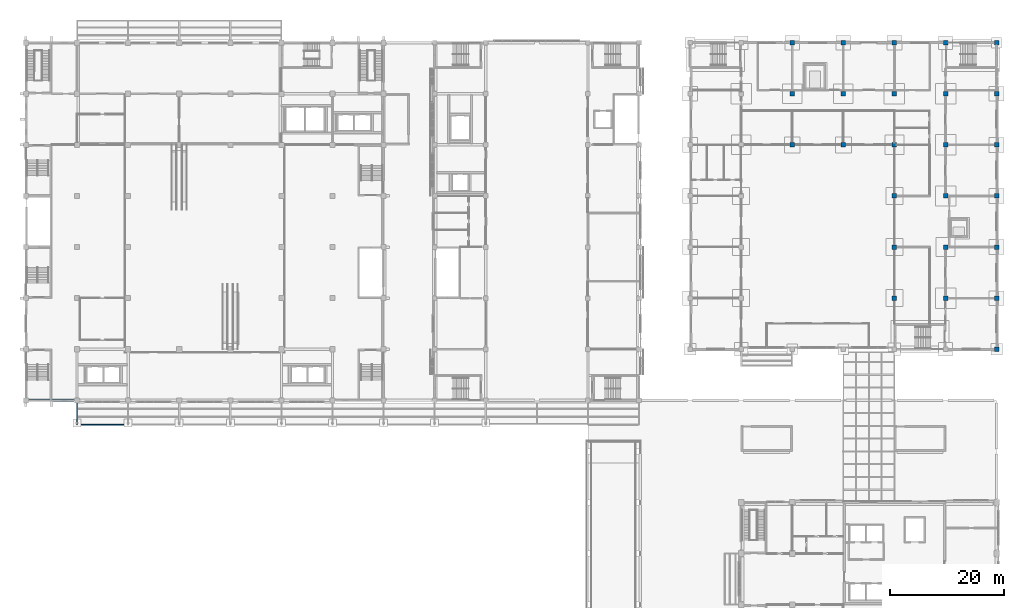
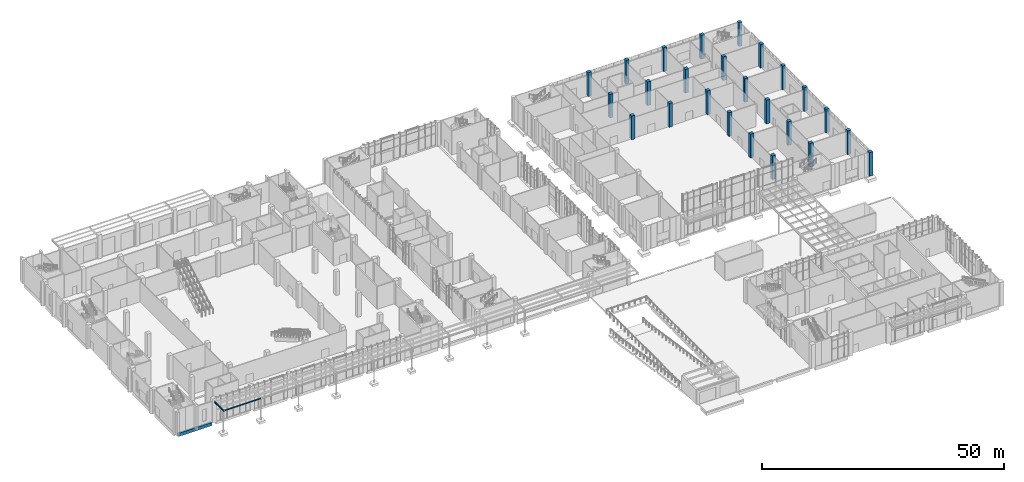
# One storey, part 8 of 86: 25 columns, 3 beams.
"""IFC4 building model written with IfcOpenShell, lengths in metres."""

from ifc_helpers import new_model, si_unit, direction, frame, origin, origin_2d, place, context, subcontext, project, spatial, rectangle, i_section, extrude, material, material_profile, profile_set, type_object, element, save


model = new_model("IFC4")

# Units and contexts
model_context = context("Model", 3, precision=1e-05, world=origin(), true_north=direction((0.0, 1.0)))
body_context = subcontext(model_context, "Body", "Model", "MODEL_VIEW")
ifc_project = project(units=[si_unit("LENGTHUNIT", "METRE"), si_unit("AREAUNIT", "SQUARE_METRE"), si_unit("VOLUMEUNIT", "CUBIC_METRE"), si_unit("PLANEANGLEUNIT", "RADIAN"), si_unit("MASSUNIT", "GRAM", prefix="KILO")], contexts=[model_context])

# Site, building, storey
site_placement = place(None, origin())
site = spatial("IfcSite", under=ifc_project, at=site_placement, CompositionType="ELEMENT")
building_placement = place(site_placement, origin())
building = spatial("IfcBuilding", under=site, at=building_placement, Name="Guidao Yard Department Store", CompositionType="ELEMENT")
storey_placement = place(building_placement, origin())
storey = spatial("IfcBuildingStorey", under=building, at=storey_placement, Name="L00", CompositionType="ELEMENT", Elevation=0.0)

# Columns
ifc_material_1 = material(Name="Concrete C40", Category="concrete")
ifc_material_profile_1 = material_profile(ifc_material_1, rectangle(XDim=0.800048828125, YDim=0.800048828125, at=origin_2d()), Name="COL 800x800")
ifc_profile_set_1 = profile_set([ifc_material_profile_1], Name="Concrete C40")
column_type = type_object("IfcColumnType", Name="Column 800x800 C40", PredefinedType="COLUMN", material=ifc_profile_set_1)
for number, where, z_axis, x_axis, name in (
    (1, (171.0, 54.0, 0.0), (0.0, 0.0, 1.0), (1.0, 0.0, 0.0), "Column 20/G L00"),
    (2, (153.0, 63.0, 0.0), (0.0, 0.0, 1.0), (1.0, 0.0, 0.0), "Column 18/H L00"),
    (3, (162.0, 63.0, 0.0), (0.0, 0.0, 1.0), (1.0, 0.0, 0.0), "Column 19/H L00"),
    (4, (171.0, 63.0, 0.0), (0.0, 0.0, 1.0), (1.0, 0.0, 0.0), "Column 20/H L00"),
    (5, (153.0, 72.0, 0.0), (0.0, 0.0, 1.0), (1.0, 0.0, 0.0), "Column 18/J L00"),
    (6, (162.0, 72.0, 0.0), (0.0, 0.0, 1.0), (1.0, 0.0, 0.0), "Column 19/J L00"),
    (7, (171.0, 72.0, 0.0), (0.0, 0.0, 1.0), (1.0, 0.0, 0.0), "Column 20/J L00"),
    (8, (153.0, 81.0, 0.0), (0.0, 0.0, 1.0), (1.0, 0.0, 0.0), "Column 18/K L00"),
    (9, (162.0, 81.0, 0.0), (0.0, 0.0, 1.0), (1.0, 0.0, 0.0), "Column 19/K L00"),
    (10, (171.0, 81.0, 0.0), (0.0, 0.0, 1.0), (1.0, 0.0, 0.0), "Column 20/K L00"),
    (11, (135.0, 90.0, 0.0), (0.0, 0.0, 1.0), (1.0, 0.0, 0.0), "Column 16/L L00"),
    (12, (144.0, 90.0, 0.0), (0.0, 0.0, 1.0), (1.0, 0.0, 0.0), "Column 17/L L00"),
    (13, (153.0, 90.0, 0.0), (0.0, 0.0, 1.0), (1.0, 0.0, 0.0), "Column 18/L L00"),
    (14, (162.0, 90.0, 0.0), (0.0, 0.0, 1.0), (1.0, 0.0, 0.0), "Column 19/L L00"),
    (15, (171.0, 90.0, 0.0), (0.0, 0.0, 1.0), (1.0, 0.0, 0.0), "Column 20/L L00"),
    (16, (135.0, 99.0, 0.0), (0.0, 0.0, 1.0), (1.0, 0.0, 0.0), "Column 16/M L00"),
    (17, (144.0, 99.0, 0.0), (0.0, 0.0, 1.0), (1.0, 0.0, 0.0), "Column 17/M L00"),
    (18, (153.0, 99.0, 0.0), (0.0, 0.0, 1.0), (1.0, 0.0, 0.0), "Column 18/M L00"),
    (19, (162.0, 99.0, 0.0), (0.0, 0.0, 1.0), (1.0, 0.0, 0.0), "Column 19/M L00"),
    (20, (171.0, 99.0, 0.0), (0.0, 0.0, 1.0), (1.0, 0.0, 0.0), "Column 20/M L00"),
    (21, (135.0, 108.0, 0.0), (0.0, 0.0, 1.0), (1.0, 0.0, 0.0), "Column 16/N L00"),
    (22, (144.0, 108.0, 0.0), (0.0, 0.0, 1.0), (1.0, 0.0, 0.0), "Column 17/N L00"),
    (23, (153.0, 108.0, 0.0), (0.0, 0.0, 1.0), (1.0, 0.0, 0.0), "Column 18/N L00"),
    (24, (162.0, 108.0, 0.0), (0.0, 0.0, 1.0), (1.0, 0.0, 0.0), "Column 19/N L00"),
    (25, (171.0, 108.0, 0.0), (0.0, 0.0, 1.0), (1.0, 0.0, 0.0), "Column 20/N L00"),
):
    element("IfcColumn", number, at=place(storey_placement, frame(where, z_axis=z_axis, x_axis=x_axis)), inside=storey, type_object=column_type, Name=name, PredefinedType="COLUMN", context=body_context, shape_type="SweptSolid", body=[
        extrude(rectangle(XDim=0.800048828125, YDim=0.800048828125, at=origin_2d()), origin(), (0.0, 0.0, 1.0), 6.0),
    ])

# Beams
ifc_material_2 = material(Name="Steel Q355B", Category="steel")
ifc_material_profile_2 = material_profile(ifc_material_2, i_section(OverallWidth=0.14990234375, OverallDepth=0.300048828125, WebThickness=0.006591796875, FlangeThickness=0.009033203125, FilletRadius=0.012939453125, at=origin_2d()), Name="HN 300x150x6.5x9")
ifc_profile_set_2 = profile_set([ifc_material_profile_2], Name="Steel Q355B")
beam_type_1 = type_object("IfcBeamType", Name="Canopy beam HN 300x150x6.5x9", PredefinedType="BEAM", material=ifc_profile_set_2)
beam_1_placement = place(storey_placement, frame((9.10009765625, 40.695068359375, 5.300048828125), z_axis=(1.0, 0.0, 0.0), x_axis=(0.0, 1.0, 0.0)))
element("IfcBeam", 26, at=beam_1_placement, inside=storey, type_object=beam_type_1, Name="Canopy edge beam EC-1", PredefinedType="BEAM", context=body_context, shape_type="SweptSolid", body=[
    extrude(i_section(OverallWidth=0.14990234375, OverallDepth=0.300048828125, WebThickness=0.006591796875, FlangeThickness=0.009033203125, FilletRadius=0.012939453125, at=origin_2d()), origin(), (0.0, 0.0, 1.0), 8.7998046875),
])
ifc_material_3 = material(Name="Steel Q355B", Category="steel")
ifc_material_profile_3 = material_profile(ifc_material_3, i_section(OverallWidth=0.199951171875, OverallDepth=0.449951171875, WebThickness=0.009033203125, FlangeThickness=0.013916015625, FilletRadius=0.012939453125, at=origin_2d()), Name="HN 450x200x9x14")
ifc_profile_set_3 = profile_set([ifc_material_profile_3], Name="Steel Q355B")
beam_type_2 = type_object("IfcBeamType", Name="HN 450x200x9x14", PredefinedType="BEAM", material=ifc_profile_set_3)
beam_2_placement = place(storey_placement, frame((9.0, 40.6201171875, 5.22509765625), z_axis=(0.0, 1.0, 0.0), x_axis=(-1.0, 0.0, 0.0)))
element("IfcBeam", 27, at=beam_2_placement, inside=storey, type_object=beam_type_2, Name="Canopy beam EC-1", PredefinedType="BEAM", context=body_context, shape_type="SweptSolid", body=[
    extrude(i_section(OverallWidth=0.199951171875, OverallDepth=0.449951171875, WebThickness=0.009033203125, FlangeThickness=0.013916015625, FilletRadius=0.012939453125, at=origin_2d()), origin(), (0.0, 0.0, 1.0), 3.929931640625),
])
ifc_material_4 = material(Name="Concrete C40", Category="concrete")
ifc_material_profile_4 = material_profile(ifc_material_4, rectangle(XDim=0.39990234375, YDim=0.800048828125, at=origin_2d()), Name="Spandrel beam 400 x 800 C40")
ifc_profile_set_4 = profile_set([ifc_material_profile_4], Name="Concrete C40")
beam_type_3 = type_object("IfcBeamType", Name="Spandrel beam 400 x 800 C40", PredefinedType="SPANDREL", material=ifc_profile_set_4)
beam_3_placement = place(storey_placement, frame((0.5, 45.0, -0.39990234375), z_axis=(1.0, 0.0, 0.0), x_axis=(0.0, 1.0, 0.0)))
element("IfcBeam", 28, at=beam_3_placement, inside=storey, type_object=beam_type_3, Name="Beam EB25", PredefinedType="SPANDREL", context=body_context, shape_type="SweptSolid", body=[
    extrude(rectangle(XDim=0.39990234375, YDim=0.800048828125, at=origin_2d()), origin(), (0.0, 0.0, 1.0), 8.0),
])

save(model, "model.ifc")
